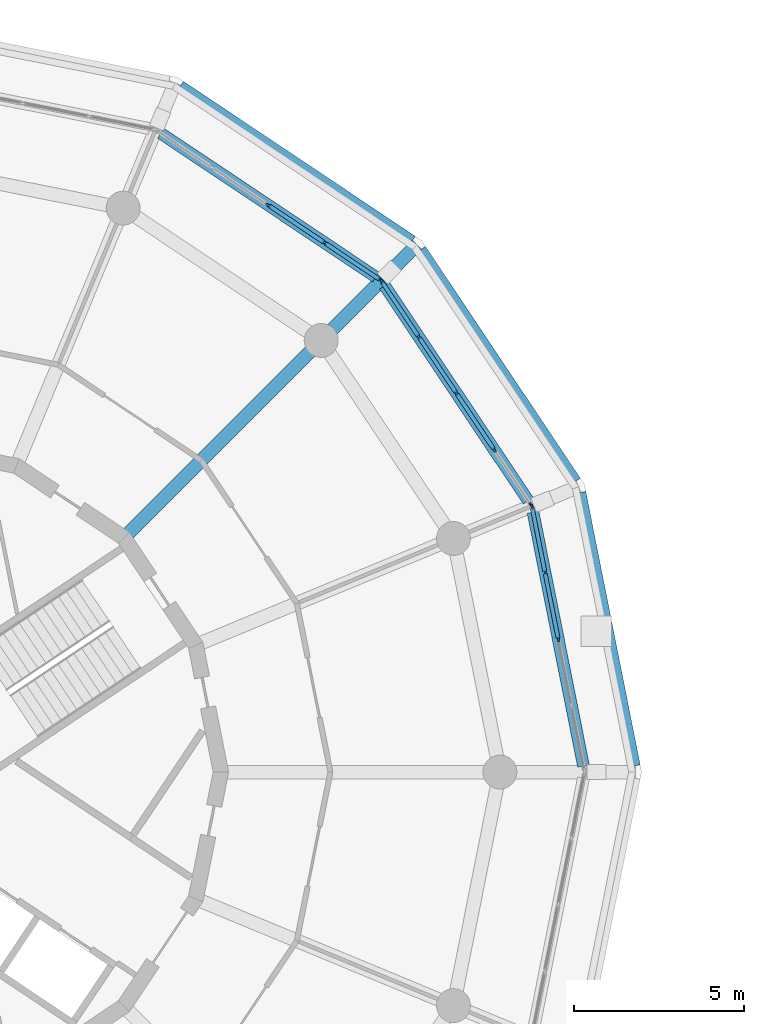
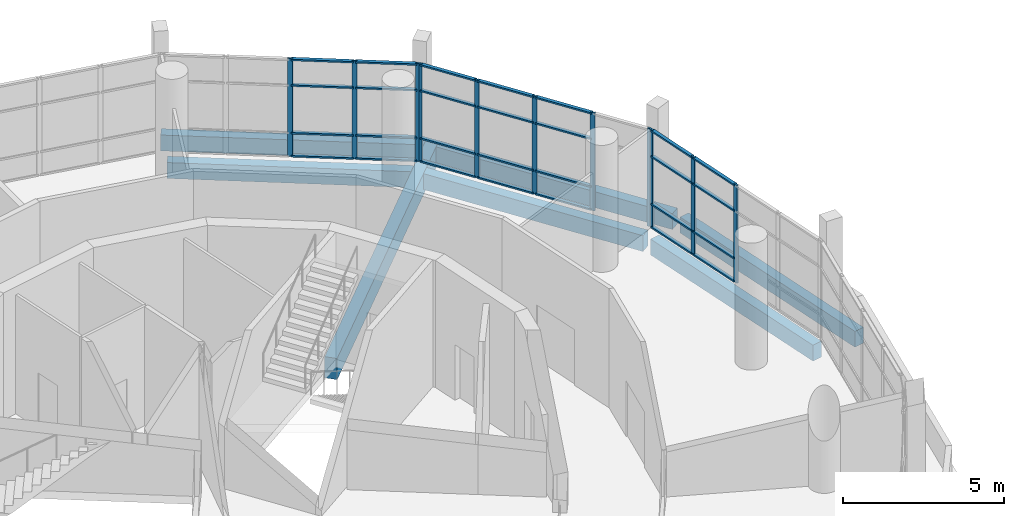
# One storey, part 10 of 40: 39 members, 7 beams, 3 elements without a shape of their own.
"""IFC4 building model written with IfcOpenShell, lengths in metres."""

from ifc_helpers import new_model, si_unit, direction, frame, origin, origin_2d, place, context, subcontext, project, spatial, rectangle, extrude, material, material_profile, profile_set, type_object, element, aggregate, save


model = new_model("IFC4")

# Units and contexts
model_context = context("Model", 3, precision=1e-05, world=origin(), true_north=direction((0.0, 1.0)))
body_context = subcontext(model_context, "Body", "Model", "MODEL_VIEW")
ifc_project = project(units=[si_unit("LENGTHUNIT", "METRE"), si_unit("AREAUNIT", "SQUARE_METRE"), si_unit("VOLUMEUNIT", "CUBIC_METRE"), si_unit("PLANEANGLEUNIT", "RADIAN"), si_unit("MASSUNIT", "GRAM", prefix="KILO")], contexts=[model_context])

# Site, building, storey
site_placement = place(None, origin())
site = spatial("IfcSite", under=ifc_project, at=site_placement, CompositionType="ELEMENT")
building_placement = place(site_placement, origin())
building = spatial("IfcBuilding", under=site, at=building_placement, Name="Ceibo Conservatory and Research Tower", CompositionType="ELEMENT")
storey_placement = place(building_placement, frame((0.0, 0.0, 6.0)))
storey = spatial("IfcBuildingStorey", under=building, at=storey_placement, Name="L01", CompositionType="ELEMENT", Elevation=6.0)

# Curtain wall, members
ifc_material_1 = material(Name="Aluminium and glass", Category="aluminium")
curtain_wall_type = type_object("IfcCurtainWallType", Name="Curtain wall CW1", PredefinedType="NOTDEFINED", material=ifc_material_1)
curtain_wall_1_placement = place(storey_placement, origin())
curtain_wall_1 = element("IfcCurtainWall", 1, at=curtain_wall_1_placement, inside=storey, type_object=curtain_wall_type, Name="CW-01.01", PredefinedType="NOTDEFINED")
ifc_material_2 = material(Name="Aluminium", Category="aluminium")
ifc_material_profile_1 = material_profile(ifc_material_2, rectangle(XDim=0.06005859375, YDim=0.159912109375, at=origin_2d()), Name="Aluminium 60 x 160")
ifc_profile_set_1 = profile_set([ifc_material_profile_1], Name="Aluminium")
member_type_1 = type_object("IfcMemberType", Name="Aluminium mullion 60 x 160", PredefinedType="MULLION", material=ifc_profile_set_1)
member_1_placement = place(storey_placement, frame((67.7197265625, 123.922607421875, 0.0), z_axis=(0.0, 0.0, 1.0), x_axis=(-0.980785268711, -0.195090380799, 0.0)))
member_1 = element("IfcMember", 2, at=member_1_placement, type_object=member_type_1, Name="CW-01.01 mullion 3", PredefinedType="MULLION", context=body_context, shape_type="SweptSolid", body=[
    extrude(rectangle(XDim=0.06005859375, YDim=0.159912109375, at=origin_2d()), origin(), (0.0, 0.0, 1.0), 3.699951171875),
])
member_2_placement = place(storey_placement, frame((67.32958984375, 125.8837890625, 0.0), z_axis=(0.0, 0.0, 1.0), x_axis=(-0.980785268711, -0.195090380799, 0.0)))
member_2 = element("IfcMember", 3, at=member_2_placement, type_object=member_type_1, Name="CW-01.01 mullion 4", PredefinedType="MULLION", context=body_context, shape_type="SweptSolid", body=[
    extrude(rectangle(XDim=0.06005859375, YDim=0.159912109375, at=origin_2d()), origin(), (0.0, 0.0, 1.0), 3.699951171875),
])
member_3_placement = place(storey_placement, frame((66.9453125, 127.815673828125, 0.0), z_axis=(0.0, 0.0, 1.0), x_axis=(-0.980785268711, -0.195090380799, 0.0)))
member_3 = element("IfcMember", 4, at=member_3_placement, type_object=member_type_1, Name="CW-01.01 mullion 5", PredefinedType="MULLION", context=body_context, shape_type="SweptSolid", body=[
    extrude(rectangle(XDim=0.06005859375, YDim=0.159912109375, at=origin_2d()), origin(), (0.0, 0.0, 1.0), 3.699951171875),
])

curtain_wall_2_placement = place(storey_placement, origin())
curtain_wall_2 = element("IfcCurtainWall", 5, at=curtain_wall_2_placement, inside=storey, type_object=curtain_wall_type, Name="CW-01.02", PredefinedType="NOTDEFINED")
member_4_placement = place(storey_placement, frame((66.9228515625, 127.869873046875, 0.0), z_axis=(0.0, 0.0, 1.0), x_axis=(-0.831469649004, -0.555570178092, 0.0)))
member_4 = element("IfcMember", 6, at=member_4_placement, type_object=member_type_1, Name="CW-01.02 mullion 1", PredefinedType="MULLION", context=body_context, shape_type="SweptSolid", body=[
    extrude(rectangle(XDim=0.06005859375, YDim=0.159912109375, at=origin_2d()), origin(), (0.0, 0.0, 1.0), 3.699951171875),
])
member_5_placement = place(storey_placement, frame((65.82861328125, 129.507568359375, 0.0), z_axis=(0.0, 0.0, 1.0), x_axis=(-0.831469649004, -0.555570178092, 0.0)))
member_5 = element("IfcMember", 7, at=member_5_placement, type_object=member_type_1, Name="CW-01.02 mullion 2", PredefinedType="MULLION", context=body_context, shape_type="SweptSolid", body=[
    extrude(rectangle(XDim=0.06005859375, YDim=0.159912109375, at=origin_2d()), origin(), (0.0, 0.0, 1.0), 3.699951171875),
])
member_6_placement = place(storey_placement, frame((64.717529296875, 131.17041015625, 0.0), z_axis=(0.0, 0.0, 1.0), x_axis=(-0.831469649004, -0.555570178092, 0.0)))
member_6 = element("IfcMember", 8, at=member_6_placement, type_object=member_type_1, Name="CW-01.02 mullion 3", PredefinedType="MULLION", context=body_context, shape_type="SweptSolid", body=[
    extrude(rectangle(XDim=0.06005859375, YDim=0.159912109375, at=origin_2d()), origin(), (0.0, 0.0, 1.0), 3.699951171875),
])
member_7_placement = place(storey_placement, frame((63.606689453125, 132.8330078125, 0.0), z_axis=(0.0, 0.0, 1.0), x_axis=(-0.831469649004, -0.555570178092, 0.0)))
member_7 = element("IfcMember", 9, at=member_7_placement, type_object=member_type_1, Name="CW-01.02 mullion 4", PredefinedType="MULLION", context=body_context, shape_type="SweptSolid", body=[
    extrude(rectangle(XDim=0.06005859375, YDim=0.159912109375, at=origin_2d()), origin(), (0.0, 0.0, 1.0), 3.699951171875),
])
member_8_placement = place(storey_placement, frame((62.512451171875, 134.470703125, 0.0), z_axis=(0.0, 0.0, 1.0), x_axis=(-0.831469649004, -0.555570178092, 0.0)))
member_8 = element("IfcMember", 10, at=member_8_placement, type_object=member_type_1, Name="CW-01.02 mullion 5", PredefinedType="MULLION", context=body_context, shape_type="SweptSolid", body=[
    extrude(rectangle(XDim=0.06005859375, YDim=0.159912109375, at=origin_2d()), origin(), (0.0, 0.0, 1.0), 3.699951171875),
])

curtain_wall_3_placement = place(storey_placement, origin())
curtain_wall_3 = element("IfcCurtainWall", 11, at=curtain_wall_3_placement, inside=storey, type_object=curtain_wall_type, Name="CW-01.03", PredefinedType="NOTDEFINED")
member_9_placement = place(storey_placement, frame((62.470703125, 134.512451171875, 0.0), z_axis=(0.0, 0.0, 1.0), x_axis=(-0.555570178092, -0.831469649004, 0.0)))
member_9 = element("IfcMember", 12, at=member_9_placement, type_object=member_type_1, Name="CW-01.03 mullion 1", PredefinedType="MULLION", context=body_context, shape_type="SweptSolid", body=[
    extrude(rectangle(XDim=0.06005859375, YDim=0.159912109375, at=origin_2d()), origin(), (0.0, 0.0, 1.0), 3.699951171875),
])
member_10_placement = place(storey_placement, frame((60.8330078125, 135.606689453125, 0.0), z_axis=(0.0, 0.0, 1.0), x_axis=(-0.555570178092, -0.831469649004, 0.0)))
member_10 = element("IfcMember", 13, at=member_10_placement, type_object=member_type_1, Name="CW-01.03 mullion 2", PredefinedType="MULLION", context=body_context, shape_type="SweptSolid", body=[
    extrude(rectangle(XDim=0.06005859375, YDim=0.159912109375, at=origin_2d()), origin(), (0.0, 0.0, 1.0), 3.699951171875),
])
member_11_placement = place(storey_placement, frame((59.17041015625, 136.717529296875, 0.0), z_axis=(0.0, 0.0, 1.0), x_axis=(-0.555570178092, -0.831469649004, 0.0)))
member_11 = element("IfcMember", 14, at=member_11_placement, type_object=member_type_1, Name="CW-01.03 mullion 3", PredefinedType="MULLION", context=body_context, shape_type="SweptSolid", body=[
    extrude(rectangle(XDim=0.06005859375, YDim=0.159912109375, at=origin_2d()), origin(), (0.0, 0.0, 1.0), 3.699951171875),
])

# Member
ifc_material_profile_2 = material_profile(ifc_material_2, rectangle(XDim=0.1201171875, YDim=0.06005859375, at=origin_2d()), Name="Aluminium 60 x 120")
ifc_profile_set_2 = profile_set([ifc_material_profile_2], Name="Aluminium")
member_type_2 = type_object("IfcMemberType", Name="Aluminium transom 60 x 120", PredefinedType="USERDEFINED", material=ifc_profile_set_2)
member_12_placement = place(storey_placement, frame((67.7138671875, 123.951904296875, 0.030029296875), z_axis=(-0.195099382826, 0.980783478053, 0.0), x_axis=(-0.980783478053, -0.195099382826, 0.0)))
member_12 = element("IfcMember", 15, at=member_12_placement, type_object=member_type_2, Name="CW-01.01 transom 3.1", ObjectType="TRANSOM", PredefinedType="USERDEFINED", context=body_context, shape_type="SweptSolid", body=[
    extrude(rectangle(XDim=0.1201171875, YDim=0.06005859375, at=origin_2d()), origin(), (0.0, 0.0, 1.0), 1.939697265625),
])

member_13_placement = place(storey_placement, frame((67.7138671875, 123.951904296875, 0.89990234375), z_axis=(-0.195099382826, 0.980783478053, 0.0), x_axis=(-0.980783478053, -0.195099382826, 0.0)))
member_13 = element("IfcMember", 16, at=member_13_placement, type_object=member_type_2, Name="CW-01.01 transom 3.2", ObjectType="TRANSOM", PredefinedType="USERDEFINED", context=body_context, shape_type="SweptSolid", body=[
    extrude(rectangle(XDim=0.1201171875, YDim=0.06005859375, at=origin_2d()), origin(), (0.0, 0.0, 1.0), 1.939697265625),
])

member_14_placement = place(storey_placement, frame((67.7138671875, 123.951904296875, 2.699951171875), z_axis=(-0.195099382826, 0.980783478053, 0.0), x_axis=(-0.980783478053, -0.195099382826, 0.0)))
member_14 = element("IfcMember", 17, at=member_14_placement, type_object=member_type_2, Name="CW-01.01 transom 3.3", ObjectType="TRANSOM", PredefinedType="USERDEFINED", context=body_context, shape_type="SweptSolid", body=[
    extrude(rectangle(XDim=0.1201171875, YDim=0.06005859375, at=origin_2d()), origin(), (0.0, 0.0, 1.0), 1.939697265625),
])

member_15_placement = place(storey_placement, frame((67.7138671875, 123.951904296875, 3.669921875), z_axis=(-0.195099382826, 0.980783478053, 0.0), x_axis=(-0.980783478053, -0.195099382826, 0.0)))
member_15 = element("IfcMember", 18, at=member_15_placement, type_object=member_type_2, Name="CW-01.01 transom 3.4", ObjectType="TRANSOM", PredefinedType="USERDEFINED", context=body_context, shape_type="SweptSolid", body=[
    extrude(rectangle(XDim=0.1201171875, YDim=0.06005859375, at=origin_2d()), origin(), (0.0, 0.0, 1.0), 1.939697265625),
])

member_16_placement = place(storey_placement, frame((67.32373046875, 125.9130859375, 0.030029296875), z_axis=(-0.195083474499, 0.980786642434, 0.0), x_axis=(-0.980786642434, -0.195083474499, 0.0)))
member_16 = element("IfcMember", 19, at=member_16_placement, type_object=member_type_2, Name="CW-01.01 transom 4.1", ObjectType="TRANSOM", PredefinedType="USERDEFINED", context=body_context, shape_type="SweptSolid", body=[
    extrude(rectangle(XDim=0.1201171875, YDim=0.06005859375, at=origin_2d()), origin(), (0.0, 0.0, 1.0), 1.90966796875),
])

member_17_placement = place(storey_placement, frame((67.32373046875, 125.9130859375, 0.89990234375), z_axis=(-0.195083474499, 0.980786642434, 0.0), x_axis=(-0.980786642434, -0.195083474499, 0.0)))
member_17 = element("IfcMember", 20, at=member_17_placement, type_object=member_type_2, Name="CW-01.01 transom 4.2", ObjectType="TRANSOM", PredefinedType="USERDEFINED", context=body_context, shape_type="SweptSolid", body=[
    extrude(rectangle(XDim=0.1201171875, YDim=0.06005859375, at=origin_2d()), origin(), (0.0, 0.0, 1.0), 1.90966796875),
])

member_18_placement = place(storey_placement, frame((67.32373046875, 125.9130859375, 2.699951171875), z_axis=(-0.195083474499, 0.980786642434, 0.0), x_axis=(-0.980786642434, -0.195083474499, 0.0)))
member_18 = element("IfcMember", 21, at=member_18_placement, type_object=member_type_2, Name="CW-01.01 transom 4.3", ObjectType="TRANSOM", PredefinedType="USERDEFINED", context=body_context, shape_type="SweptSolid", body=[
    extrude(rectangle(XDim=0.1201171875, YDim=0.06005859375, at=origin_2d()), origin(), (0.0, 0.0, 1.0), 1.90966796875),
])

member_19_placement = place(storey_placement, frame((67.32373046875, 125.9130859375, 3.669921875), z_axis=(-0.195083474499, 0.980786642434, 0.0), x_axis=(-0.980786642434, -0.195083474499, 0.0)))
member_19 = element("IfcMember", 22, at=member_19_placement, type_object=member_type_2, Name="CW-01.01 transom 4.4", ObjectType="TRANSOM", PredefinedType="USERDEFINED", context=body_context, shape_type="SweptSolid", body=[
    extrude(rectangle(XDim=0.1201171875, YDim=0.06005859375, at=origin_2d()), origin(), (0.0, 0.0, 1.0), 1.90966796875),
])

aggregate(curtain_wall_1, [member_1, member_2, member_3, member_12, member_13, member_14, member_15, member_16, member_17, member_18, member_19])

member_20_placement = place(storey_placement, frame((65.81201171875, 129.53271484375, 0.030029296875), z_axis=(-0.55557127007, 0.831468919367, 0.0), x_axis=(-0.831468919367, -0.55557127007, 0.0)))
member_20 = element("IfcMember", 23, at=member_20_placement, type_object=member_type_2, Name="CW-01.02 transom 2.1", ObjectType="TRANSOM", PredefinedType="USERDEFINED", context=body_context, shape_type="SweptSolid", body=[
    extrude(rectangle(XDim=0.1201171875, YDim=0.06005859375, at=origin_2d()), origin(), (0.0, 0.0, 1.0), 1.939697265625),
])

member_21_placement = place(storey_placement, frame((65.81201171875, 129.53271484375, 0.89990234375), z_axis=(-0.55557127007, 0.831468919367, 0.0), x_axis=(-0.831468919367, -0.55557127007, 0.0)))
member_21 = element("IfcMember", 24, at=member_21_placement, type_object=member_type_2, Name="CW-01.02 transom 2.2", ObjectType="TRANSOM", PredefinedType="USERDEFINED", context=body_context, shape_type="SweptSolid", body=[
    extrude(rectangle(XDim=0.1201171875, YDim=0.06005859375, at=origin_2d()), origin(), (0.0, 0.0, 1.0), 1.939697265625),
])

member_22_placement = place(storey_placement, frame((65.81201171875, 129.53271484375, 2.699951171875), z_axis=(-0.55557127007, 0.831468919367, 0.0), x_axis=(-0.831468919367, -0.55557127007, 0.0)))
member_22 = element("IfcMember", 25, at=member_22_placement, type_object=member_type_2, Name="CW-01.02 transom 2.3", ObjectType="TRANSOM", PredefinedType="USERDEFINED", context=body_context, shape_type="SweptSolid", body=[
    extrude(rectangle(XDim=0.1201171875, YDim=0.06005859375, at=origin_2d()), origin(), (0.0, 0.0, 1.0), 1.939697265625),
])

member_23_placement = place(storey_placement, frame((65.81201171875, 129.53271484375, 3.669921875), z_axis=(-0.55557127007, 0.831468919367, 0.0), x_axis=(-0.831468919367, -0.55557127007, 0.0)))
member_23 = element("IfcMember", 26, at=member_23_placement, type_object=member_type_2, Name="CW-01.02 transom 2.4", ObjectType="TRANSOM", PredefinedType="USERDEFINED", context=body_context, shape_type="SweptSolid", body=[
    extrude(rectangle(XDim=0.1201171875, YDim=0.06005859375, at=origin_2d()), origin(), (0.0, 0.0, 1.0), 1.939697265625),
])

member_24_placement = place(storey_placement, frame((64.700927734375, 131.1953125, 0.030029296875), z_axis=(-0.55557127007, 0.831468919367, 0.0), x_axis=(-0.831468919367, -0.55557127007, 0.0)))
member_24 = element("IfcMember", 27, at=member_24_placement, type_object=member_type_2, Name="CW-01.02 transom 3.1", ObjectType="TRANSOM", PredefinedType="USERDEFINED", context=body_context, shape_type="SweptSolid", body=[
    extrude(rectangle(XDim=0.1201171875, YDim=0.06005859375, at=origin_2d()), origin(), (0.0, 0.0, 1.0), 1.939697265625),
])

member_25_placement = place(storey_placement, frame((64.700927734375, 131.1953125, 0.89990234375), z_axis=(-0.55557127007, 0.831468919367, 0.0), x_axis=(-0.831468919367, -0.55557127007, 0.0)))
member_25 = element("IfcMember", 28, at=member_25_placement, type_object=member_type_2, Name="CW-01.02 transom 3.2", ObjectType="TRANSOM", PredefinedType="USERDEFINED", context=body_context, shape_type="SweptSolid", body=[
    extrude(rectangle(XDim=0.1201171875, YDim=0.06005859375, at=origin_2d()), origin(), (0.0, 0.0, 1.0), 1.939697265625),
])

member_26_placement = place(storey_placement, frame((64.700927734375, 131.1953125, 2.699951171875), z_axis=(-0.55557127007, 0.831468919367, 0.0), x_axis=(-0.831468919367, -0.55557127007, 0.0)))
member_26 = element("IfcMember", 29, at=member_26_placement, type_object=member_type_2, Name="CW-01.02 transom 3.3", ObjectType="TRANSOM", PredefinedType="USERDEFINED", context=body_context, shape_type="SweptSolid", body=[
    extrude(rectangle(XDim=0.1201171875, YDim=0.06005859375, at=origin_2d()), origin(), (0.0, 0.0, 1.0), 1.939697265625),
])

member_27_placement = place(storey_placement, frame((64.700927734375, 131.1953125, 3.669921875), z_axis=(-0.55557127007, 0.831468919367, 0.0), x_axis=(-0.831468919367, -0.55557127007, 0.0)))
member_27 = element("IfcMember", 30, at=member_27_placement, type_object=member_type_2, Name="CW-01.02 transom 3.4", ObjectType="TRANSOM", PredefinedType="USERDEFINED", context=body_context, shape_type="SweptSolid", body=[
    extrude(rectangle(XDim=0.1201171875, YDim=0.06005859375, at=origin_2d()), origin(), (0.0, 0.0, 1.0), 1.939697265625),
])

member_28_placement = place(storey_placement, frame((63.590087890625, 132.85791015625, 0.030029296875), z_axis=(-0.555584916278, 0.831459801075, 0.0), x_axis=(-0.831459801075, -0.555584916278, 0.0)))
member_28 = element("IfcMember", 31, at=member_28_placement, type_object=member_type_2, Name="CW-01.02 transom 4.1", ObjectType="TRANSOM", PredefinedType="USERDEFINED", context=body_context, shape_type="SweptSolid", body=[
    extrude(rectangle(XDim=0.1201171875, YDim=0.06005859375, at=origin_2d()), origin(), (0.0, 0.0, 1.0), 1.90966796875),
])

member_29_placement = place(storey_placement, frame((63.590087890625, 132.85791015625, 0.89990234375), z_axis=(-0.555584916278, 0.831459801075, 0.0), x_axis=(-0.831459801075, -0.555584916278, 0.0)))
member_29 = element("IfcMember", 32, at=member_29_placement, type_object=member_type_2, Name="CW-01.02 transom 4.2", ObjectType="TRANSOM", PredefinedType="USERDEFINED", context=body_context, shape_type="SweptSolid", body=[
    extrude(rectangle(XDim=0.1201171875, YDim=0.06005859375, at=origin_2d()), origin(), (0.0, 0.0, 1.0), 1.90966796875),
])

member_30_placement = place(storey_placement, frame((63.590087890625, 132.85791015625, 2.699951171875), z_axis=(-0.555584916278, 0.831459801075, 0.0), x_axis=(-0.831459801075, -0.555584916278, 0.0)))
member_30 = element("IfcMember", 33, at=member_30_placement, type_object=member_type_2, Name="CW-01.02 transom 4.3", ObjectType="TRANSOM", PredefinedType="USERDEFINED", context=body_context, shape_type="SweptSolid", body=[
    extrude(rectangle(XDim=0.1201171875, YDim=0.06005859375, at=origin_2d()), origin(), (0.0, 0.0, 1.0), 1.90966796875),
])

member_31_placement = place(storey_placement, frame((63.590087890625, 132.85791015625, 3.669921875), z_axis=(-0.555584916278, 0.831459801075, 0.0), x_axis=(-0.831459801075, -0.555584916278, 0.0)))
member_31 = element("IfcMember", 34, at=member_31_placement, type_object=member_type_2, Name="CW-01.02 transom 4.4", ObjectType="TRANSOM", PredefinedType="USERDEFINED", context=body_context, shape_type="SweptSolid", body=[
    extrude(rectangle(XDim=0.1201171875, YDim=0.06005859375, at=origin_2d()), origin(), (0.0, 0.0, 1.0), 1.90966796875),
])

aggregate(curtain_wall_2, [member_4, member_5, member_6, member_7, member_8, member_20, member_21, member_22, member_23, member_24, member_25, member_26, member_27, member_28, member_29, member_30, member_31])

member_32_placement = place(storey_placement, frame((62.44580078125, 134.529052734375, 0.030029296875), z_axis=(-0.831459801075, 0.555584916278, 0.0), x_axis=(-0.555584916278, -0.831459801075, 0.0)))
member_32 = element("IfcMember", 35, at=member_32_placement, type_object=member_type_2, Name="CW-01.03 transom 1.1", ObjectType="TRANSOM", PredefinedType="USERDEFINED", context=body_context, shape_type="SweptSolid", body=[
    extrude(rectangle(XDim=0.1201171875, YDim=0.06005859375, at=origin_2d()), origin(), (0.0, 0.0, 1.0), 1.90966796875),
])

member_33_placement = place(storey_placement, frame((62.44580078125, 134.529052734375, 0.89990234375), z_axis=(-0.831459801075, 0.555584916278, 0.0), x_axis=(-0.555584916278, -0.831459801075, 0.0)))
member_33 = element("IfcMember", 36, at=member_33_placement, type_object=member_type_2, Name="CW-01.03 transom 1.2", ObjectType="TRANSOM", PredefinedType="USERDEFINED", context=body_context, shape_type="SweptSolid", body=[
    extrude(rectangle(XDim=0.1201171875, YDim=0.06005859375, at=origin_2d()), origin(), (0.0, 0.0, 1.0), 1.90966796875),
])

member_34_placement = place(storey_placement, frame((62.44580078125, 134.529052734375, 2.699951171875), z_axis=(-0.831459801075, 0.555584916278, 0.0), x_axis=(-0.555584916278, -0.831459801075, 0.0)))
member_34 = element("IfcMember", 37, at=member_34_placement, type_object=member_type_2, Name="CW-01.03 transom 1.3", ObjectType="TRANSOM", PredefinedType="USERDEFINED", context=body_context, shape_type="SweptSolid", body=[
    extrude(rectangle(XDim=0.1201171875, YDim=0.06005859375, at=origin_2d()), origin(), (0.0, 0.0, 1.0), 1.90966796875),
])

member_35_placement = place(storey_placement, frame((62.44580078125, 134.529052734375, 3.669921875), z_axis=(-0.831459801075, 0.555584916278, 0.0), x_axis=(-0.555584916278, -0.831459801075, 0.0)))
member_35 = element("IfcMember", 38, at=member_35_placement, type_object=member_type_2, Name="CW-01.03 transom 1.4", ObjectType="TRANSOM", PredefinedType="USERDEFINED", context=body_context, shape_type="SweptSolid", body=[
    extrude(rectangle(XDim=0.1201171875, YDim=0.06005859375, at=origin_2d()), origin(), (0.0, 0.0, 1.0), 1.90966796875),
])

member_36_placement = place(storey_placement, frame((60.80810546875, 135.623291015625, 0.030029296875), z_axis=(-0.831468919367, 0.55557127007, 0.0), x_axis=(-0.55557127007, -0.831468919367, 0.0)))
member_36 = element("IfcMember", 39, at=member_36_placement, type_object=member_type_2, Name="CW-01.03 transom 2.1", ObjectType="TRANSOM", PredefinedType="USERDEFINED", context=body_context, shape_type="SweptSolid", body=[
    extrude(rectangle(XDim=0.1201171875, YDim=0.06005859375, at=origin_2d()), origin(), (0.0, 0.0, 1.0), 1.939697265625),
])

member_37_placement = place(storey_placement, frame((60.80810546875, 135.623291015625, 0.89990234375), z_axis=(-0.831468919367, 0.55557127007, 0.0), x_axis=(-0.55557127007, -0.831468919367, 0.0)))
member_37 = element("IfcMember", 40, at=member_37_placement, type_object=member_type_2, Name="CW-01.03 transom 2.2", ObjectType="TRANSOM", PredefinedType="USERDEFINED", context=body_context, shape_type="SweptSolid", body=[
    extrude(rectangle(XDim=0.1201171875, YDim=0.06005859375, at=origin_2d()), origin(), (0.0, 0.0, 1.0), 1.939697265625),
])

member_38_placement = place(storey_placement, frame((60.80810546875, 135.623291015625, 2.699951171875), z_axis=(-0.831468919367, 0.55557127007, 0.0), x_axis=(-0.55557127007, -0.831468919367, 0.0)))
member_38 = element("IfcMember", 41, at=member_38_placement, type_object=member_type_2, Name="CW-01.03 transom 2.3", ObjectType="TRANSOM", PredefinedType="USERDEFINED", context=body_context, shape_type="SweptSolid", body=[
    extrude(rectangle(XDim=0.1201171875, YDim=0.06005859375, at=origin_2d()), origin(), (0.0, 0.0, 1.0), 1.939697265625),
])

member_39_placement = place(storey_placement, frame((60.80810546875, 135.623291015625, 3.669921875), z_axis=(-0.831468919367, 0.55557127007, 0.0), x_axis=(-0.55557127007, -0.831468919367, 0.0)))
member_39 = element("IfcMember", 42, at=member_39_placement, type_object=member_type_2, Name="CW-01.03 transom 2.4", ObjectType="TRANSOM", PredefinedType="USERDEFINED", context=body_context, shape_type="SweptSolid", body=[
    extrude(rectangle(XDim=0.1201171875, YDim=0.06005859375, at=origin_2d()), origin(), (0.0, 0.0, 1.0), 1.939697265625),
])

aggregate(curtain_wall_3, [member_9, member_10, member_11, member_32, member_33, member_34, member_35, member_36, member_37, member_38, member_39])

# Beams
ifc_material_3 = material(Name="Concrete C35/45", Category="concrete")
ifc_material_profile_3 = material_profile(ifc_material_3, rectangle(XDim=0.35009765625, YDim=0.60009765625, at=origin_2d()), Name="RC 350x600")
ifc_profile_set_3 = profile_set([ifc_material_profile_3], Name="Concrete C35/45")
beam_type_1 = type_object("IfcBeamType", Name="RC beam 350x600 C35", PredefinedType="BEAM", material=ifc_profile_set_3)
for number, where, z_axis, x_axis, name in (
    (43, (68.464111328125, 120.180419921875, -0.60009765625), (-0.195100828433, 0.980783190489, 0.0), (-0.980783190489, -0.195100828433, 0.0), "Edge beam 01 L01"),
    (44, (66.83740234375, 127.998046875, -0.60009765625), (-0.555578495676, 0.831464091312, 0.0), (-0.831464091312, -0.555578495676, 0.0), "Edge beam 02 L01"),
    (45, (62.3427734375, 134.597900390625, -0.60009765625), (-0.831464091312, 0.555578495676, 0.0), (-0.555578495676, -0.831464091312, 0.0), "Edge beam 03 L01"),
):
    element("IfcBeam", number, at=place(storey_placement, frame(where, z_axis=z_axis, x_axis=x_axis)), inside=storey, type_object=beam_type_1, Name=name, PredefinedType="BEAM", context=body_context, shape_type="SweptSolid", body=[
        extrude(rectangle(XDim=0.35009765625, YDim=0.60009765625, at=origin_2d()), origin(), (0.0, 0.0, 1.0), 7.630859375),
    ])
beam_1_placement = place(storey_placement, frame((69.964111328125, 120.180419921875, -0.60009765625), z_axis=(-0.195076015612, 0.980788126016, 0.0), x_axis=(-0.980788126016, -0.195076015612, 0.0)))
element("IfcBeam", 46, at=beam_1_placement, inside=storey, type_object=beam_type_1, Name="Edge beam 01 L01", PredefinedType="BEAM", context=body_context, shape_type="SweptSolid", body=[
    extrude(rectangle(XDim=0.35009765625, YDim=0.60009765625, at=origin_2d()), origin(), (0.0, 0.0, 1.0), 8.21630859375),
])
for number, where, z_axis, x_axis, name in (
    (47, (68.22314453125, 128.572021484375, -0.60009765625), (-0.555584480406, 0.831460092327, 0.0), (-0.831460092327, -0.555584480406, 0.0), "Edge beam 02 L01"),
    (48, (63.4033203125, 135.658447265625, -0.60009765625), (-0.831460092327, 0.555584480406, 0.0), (-0.555584480406, -0.831460092327, 0.0), "Edge beam 03 L01"),
):
    element("IfcBeam", number, at=place(storey_placement, frame(where, z_axis=z_axis, x_axis=x_axis)), inside=storey, type_object=beam_type_1, Name=name, PredefinedType="BEAM", context=body_context, shape_type="SweptSolid", body=[
        extrude(rectangle(XDim=0.35009765625, YDim=0.60009765625, at=origin_2d()), origin(), (0.0, 0.0, 1.0), 8.216064453125),
    ])
ifc_material_profile_4 = material_profile(ifc_material_3, rectangle(XDim=0.39990234375, YDim=0.800048828125, at=origin_2d()), Name="RC 400x800")
ifc_profile_set_4 = profile_set([ifc_material_profile_4], Name="Concrete C35/45")
beam_type_2 = type_object("IfcBeamType", Name="RC beam 400x800 C35", PredefinedType="BEAM", material=ifc_profile_set_4)
beam_2_placement = place(storey_placement, frame((55.03564453125, 127.03564453125, -0.699951171875), z_axis=(0.707106781187, 0.707106781187, 0.0), x_axis=(-0.707106781187, 0.707106781187, 0.0)))
element("IfcBeam", 49, at=beam_2_placement, inside=storey, type_object=beam_type_2, Name="Radial beam R3 L01", PredefinedType="BEAM", context=body_context, shape_type="SweptSolid", body=[
    extrude(rectangle(XDim=0.39990234375, YDim=0.800048828125, at=origin_2d()), origin(), (0.0, 0.0, 1.0), 12.044921875),
])

save(model, "model.ifc")
